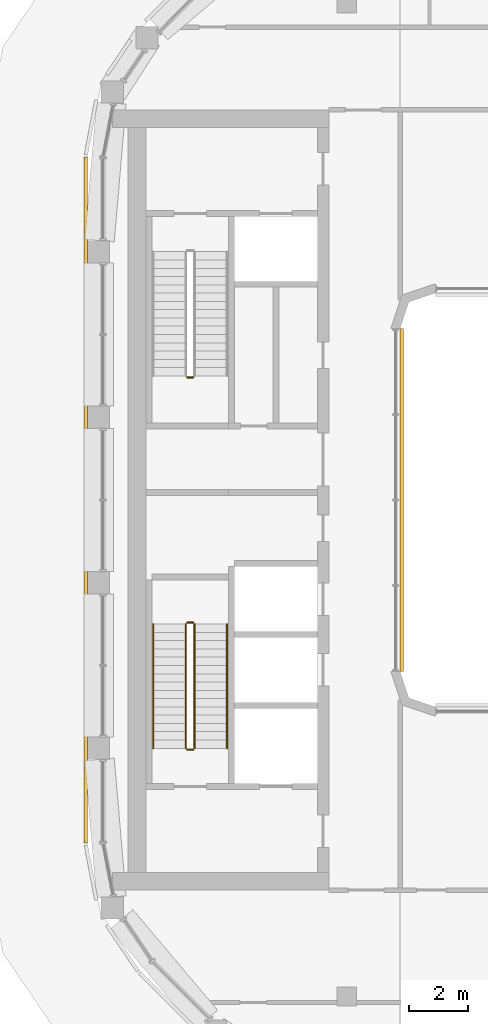
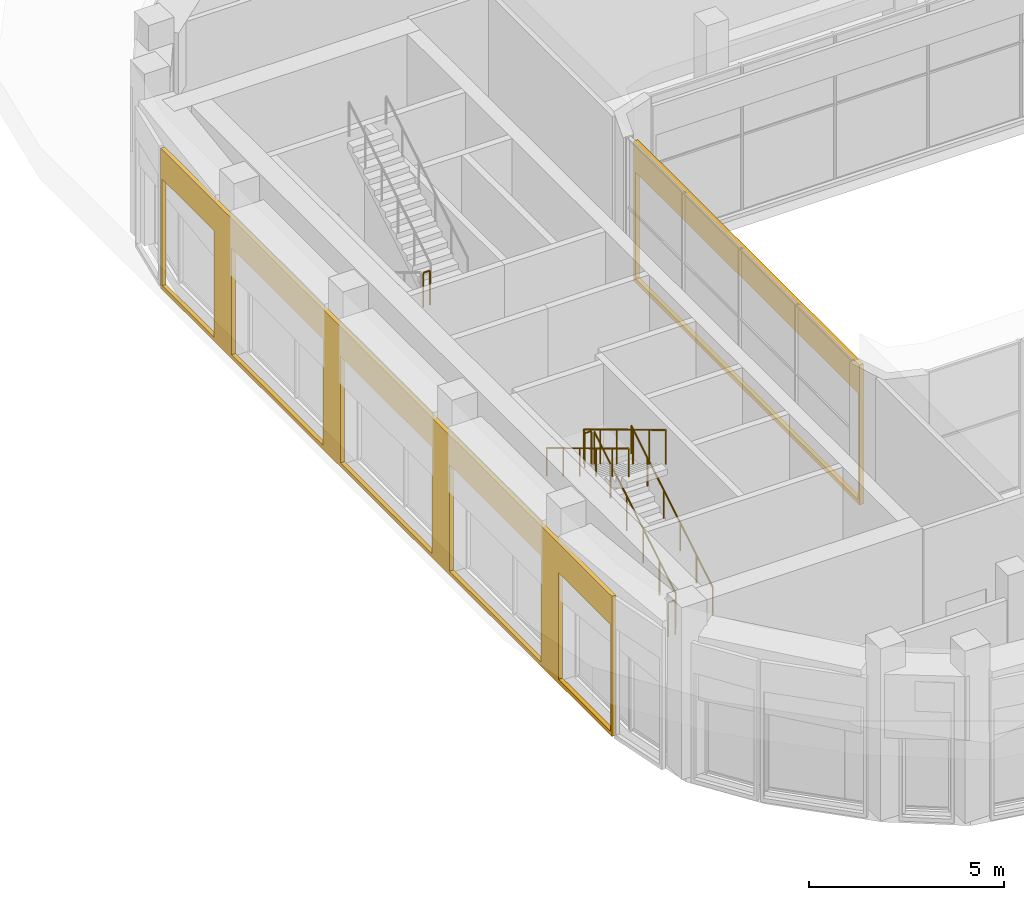
# One storey, part 18 of 23: 7 railings, 2 coverings.
"""IFC4 building model written with IfcOpenShell, lengths in metres."""

from ifc_helpers import new_model, si_unit, direction, frame, origin, origin_2d, place, context, subcontext, project, spatial, polyline, circle, outline, extrude, material, layer, layer_set, type_object, element, save


model = new_model("IFC4")

# Units and contexts
model_context = context("Model", 3, precision=1e-05, world=origin(), true_north=direction((0.0, 1.0)))
body_context = subcontext(model_context, "Body", "Model", "MODEL_VIEW")
ifc_project = project(units=[si_unit("LENGTHUNIT", "METRE"), si_unit("AREAUNIT", "SQUARE_METRE"), si_unit("VOLUMEUNIT", "CUBIC_METRE"), si_unit("PLANEANGLEUNIT", "RADIAN"), si_unit("MASSUNIT", "GRAM", prefix="KILO")], contexts=[model_context])

# Site, building, storey
site_placement = place(None, origin())
site = spatial("IfcSite", under=ifc_project, at=site_placement, CompositionType="ELEMENT")
building_placement = place(site_placement, origin())
building = spatial("IfcBuilding", under=site, at=building_placement, Name="Kiln Ring Residences", CompositionType="ELEMENT")
storey_placement = place(building_placement, frame((0.0, 0.0, 294.5)))
storey = spatial("IfcBuildingStorey", under=building, at=storey_placement, Name="L76", CompositionType="ELEMENT", Elevation=294.5)

# Railings
ifc_material_1 = material(Name="Stainless steel", Category="steel")
railing_type_1 = type_object("IfcRailingType", Name="CORE-STAIR-GUARD", PredefinedType="GUARDRAIL", material=ifc_material_1)
railing_1_placement = place(storey_placement, frame((-22.199951171875, 4.14990234375, 2.699951171875)))
element("IfcRailing", 1, at=railing_1_placement, inside=storey, type_object=railing_type_1, Name="L76 W-STN stair guard 2", PredefinedType="GUARDRAIL", context=body_context, shape_type="SweptSolid", body=[
    extrude(circle(Radius=0.02392578125, at=origin_2d()), frame((0.0, 0.0, 1.076171875), z_axis=(1.0, 0.0, 0.0), x_axis=(0.0, 1.0, 0.0)), (0.0, 0.0, 1.0), 0.199951171875),
    extrude(circle(Radius=0.02099609375, at=origin_2d()), origin(), (0.0, 0.0, 1.0), 1.052001953125),
    extrude(circle(Radius=0.02099609375, at=origin_2d()), frame((0.199951171875, 0.0, 0.0)), (0.0, 0.0, 1.0), 1.052001953125),
])
railing_2_placement = place(storey_placement, frame((-21.949951171875, -8.39990234375, 0.168701171875)))
element("IfcRailing", 2, at=railing_2_placement, inside=storey, type_object=railing_type_1, Name="L76 W-STS stair guard 1", PredefinedType="GUARDRAIL", context=body_context, shape_type="SweptSolid", body=[
    extrude(circle(Radius=0.02392578125, at=origin_2d()), frame((0.0, 0.0, 1.076171875), z_axis=(0.0, 0.856476492594, 0.516186030065), x_axis=(-1.0, 0.0, 0.0)), (0.0, 0.0, 1.0), 4.90380859375),
    extrude(circle(Radius=0.02099609375, at=origin_2d()), origin(), (0.0, 0.0, 1.0), 1.052001953125),
    extrude(circle(Radius=0.02099609375, at=origin_2d()), frame((0.0, 0.840087890625, 0.50634765625)), (0.0, 0.0, 1.0), 1.052001953125),
    extrude(circle(Radius=0.02099609375, at=origin_2d()), frame((0.0, 1.679931640625, 1.012451171875)), (0.0, 0.0, 1.0), 1.052001953125),
    extrude(circle(Radius=0.02099609375, at=origin_2d()), frame((0.0, 2.52001953125, 1.518798828125)), (0.0, 0.0, 1.0), 1.052001953125),
    extrude(circle(Radius=0.02099609375, at=origin_2d()), frame((0.0, 3.35986328125, 2.02490234375)), (0.0, 0.0, 1.0), 1.052001953125),
    extrude(circle(Radius=0.02099609375, at=origin_2d()), frame((0.0, 4.199951171875, 2.53125)), (0.0, 0.0, 1.0), 1.052001953125),
])
railing_3_placement = place(storey_placement, frame((-22.0, -4.14990234375, 2.699951171875)))
element("IfcRailing", 3, at=railing_3_placement, inside=storey, type_object=railing_type_1, Name="L76 W-STS stair guard 2", PredefinedType="GUARDRAIL", context=body_context, shape_type="SweptSolid", body=[
    extrude(circle(Radius=0.02392578125, at=origin_2d()), frame((0.0, 0.0, 1.076171875), z_axis=(-1.0, 0.0, 0.0), x_axis=(0.0, -1.0, 0.0)), (0.0, 0.0, 1.0), 0.199951171875),
    extrude(circle(Radius=0.02099609375, at=origin_2d()), origin(), (0.0, 0.0, 1.0), 1.052001953125),
    extrude(circle(Radius=0.02099609375, at=origin_2d()), frame((-0.199951171875, 0.0, 0.0)), (0.0, 0.0, 1.0), 1.052001953125),
])
railing_4_placement = place(storey_placement, frame((-22.25, -4.199951171875, 2.86865234375)))
element("IfcRailing", 4, at=railing_4_placement, inside=storey, type_object=railing_type_1, Name="L76 W-STS stair guard 3", PredefinedType="GUARDRAIL", context=body_context, shape_type="SweptSolid", body=[
    extrude(circle(Radius=0.02392578125, at=origin_2d()), frame((0.0, 0.0, 1.076171875), z_axis=(0.0, -0.856476492594, 0.516186030065), x_axis=(1.0, 0.0, 0.0)), (0.0, 0.0, 1.0), 4.90380859375),
    extrude(circle(Radius=0.02099609375, at=origin_2d()), origin(), (0.0, 0.0, 1.0), 1.052001953125),
    extrude(circle(Radius=0.02099609375, at=origin_2d()), frame((0.0, -0.840087890625, 0.50634765625)), (0.0, 0.0, 1.0), 1.052001953125),
    extrude(circle(Radius=0.02099609375, at=origin_2d()), frame((0.0, -1.679931640625, 1.012451171875)), (0.0, 0.0, 1.0), 1.052001953125),
    extrude(circle(Radius=0.02099609375, at=origin_2d()), frame((0.0, -2.52001953125, 1.518798828125)), (0.0, 0.0, 1.0), 1.052001953125),
    extrude(circle(Radius=0.02099609375, at=origin_2d()), frame((0.0, -3.35986328125, 2.02490234375)), (0.0, 0.0, 1.0), 1.052001953125),
    extrude(circle(Radius=0.02099609375, at=origin_2d()), frame((0.0, -4.199951171875, 2.53125)), (0.0, 0.0, 1.0), 1.052001953125),
])
railing_5_placement = place(storey_placement, frame((-22.0, -8.449951171875, 0.0)))
element("IfcRailing", 5, at=railing_5_placement, inside=storey, type_object=railing_type_1, Name="L76 W-STS stair guard 4", PredefinedType="GUARDRAIL", context=body_context, shape_type="SweptSolid", body=[
    extrude(circle(Radius=0.02392578125, at=origin_2d()), frame((0.0, 0.0, 1.076171875), z_axis=(-1.0, 0.0, 0.0), x_axis=(0.0, -1.0, 0.0)), (0.0, 0.0, 1.0), 0.199951171875),
    extrude(circle(Radius=0.02099609375, at=origin_2d()), origin(), (0.0, 0.0, 1.0), 1.052001953125),
    extrude(circle(Radius=0.02099609375, at=origin_2d()), frame((-0.199951171875, 0.0, 0.0)), (0.0, 0.0, 1.0), 1.052001953125),
])
ifc_material_2 = material(Name="Stainless steel", Category="steel")
railing_type_2 = type_object("IfcRailingType", Name="CORE-STAIR-HANDRAIL", PredefinedType="HANDRAIL", material=ifc_material_2)
railing_6_placement = place(storey_placement, frame((-20.85009765625, -8.39990234375, 0.168701171875)))
element("IfcRailing", 6, at=railing_6_placement, inside=storey, type_object=railing_type_2, Name="L76 W-STS stair handrail 1", PredefinedType="HANDRAIL", context=body_context, shape_type="SweptSolid", body=[
    extrude(circle(Radius=0.02392578125, at=origin_2d()), frame((0.0, 0.0, 0.8759765625), z_axis=(0.0, 0.856476492594, 0.516186030065), x_axis=(-1.0, 0.0, 0.0)), (0.0, 0.0, 1.0), 4.90380859375),
    extrude(circle(Radius=0.02099609375, at=origin_2d()), origin(), (0.0, 0.0, 1.0), 0.851806640625),
    extrude(circle(Radius=0.02099609375, at=origin_2d()), frame((0.0, 0.840087890625, 0.50634765625)), (0.0, 0.0, 1.0), 0.851806640625),
    extrude(circle(Radius=0.02099609375, at=origin_2d()), frame((0.0, 1.679931640625, 1.012451171875)), (0.0, 0.0, 1.0), 0.851806640625),
    extrude(circle(Radius=0.02099609375, at=origin_2d()), frame((0.0, 2.52001953125, 1.518798828125)), (0.0, 0.0, 1.0), 0.851806640625),
    extrude(circle(Radius=0.02099609375, at=origin_2d()), frame((0.0, 3.35986328125, 2.02490234375)), (0.0, 0.0, 1.0), 0.851806640625),
    extrude(circle(Radius=0.02099609375, at=origin_2d()), frame((0.0, 4.199951171875, 2.53125)), (0.0, 0.0, 1.0), 0.851806640625),
])
railing_7_placement = place(storey_placement, frame((-23.35009765625, -4.199951171875, 2.86865234375)))
element("IfcRailing", 7, at=railing_7_placement, inside=storey, type_object=railing_type_2, Name="L76 W-STS stair handrail 2", PredefinedType="HANDRAIL", context=body_context, shape_type="SweptSolid", body=[
    extrude(circle(Radius=0.02392578125, at=origin_2d()), frame((0.0, 0.0, 0.8759765625), z_axis=(0.0, -0.856476492594, 0.516186030065), x_axis=(1.0, 0.0, 0.0)), (0.0, 0.0, 1.0), 4.90380859375),
    extrude(circle(Radius=0.02099609375, at=origin_2d()), origin(), (0.0, 0.0, 1.0), 0.851806640625),
    extrude(circle(Radius=0.02099609375, at=origin_2d()), frame((0.0, -0.840087890625, 0.50634765625)), (0.0, 0.0, 1.0), 0.851806640625),
    extrude(circle(Radius=0.02099609375, at=origin_2d()), frame((0.0, -1.679931640625, 1.012451171875)), (0.0, 0.0, 1.0), 0.851806640625),
    extrude(circle(Radius=0.02099609375, at=origin_2d()), frame((0.0, -2.52001953125, 1.518798828125)), (0.0, 0.0, 1.0), 0.851806640625),
    extrude(circle(Radius=0.02099609375, at=origin_2d()), frame((0.0, -3.35986328125, 2.02490234375)), (0.0, 0.0, 1.0), 0.851806640625),
    extrude(circle(Radius=0.02099609375, at=origin_2d()), frame((0.0, -4.199951171875, 2.53125)), (0.0, 0.0, 1.0), 0.851806640625),
])

# Coverings
ifc_material_3 = material(Name="Brick masonry, dark clay brick", Category="masonry")
ifc_layer = layer(ifc_material_3, 0.1201171875)
ifc_layer_set = layer_set([ifc_layer], Name="RAINSCREEN PANEL 120")
covering_type = type_object("IfcCoveringType", Name="RAINSCREEN PANEL 120", PredefinedType="CLADDING", material=ifc_layer_set)
covering_1_placement = place(storey_placement, frame((-25.635009765625, 11.60009765625, 0.0), z_axis=(0.0, 0.0, 1.0), x_axis=(0.0, -1.0, 0.0)))
element("IfcCovering", 8, at=covering_1_placement, inside=storey, type_object=covering_type, Name="RAINSCREEN L76", PredefinedType="CLADDING", context=body_context, shape_type="SweptSolid", body=[
    extrude(outline(polyline([(0.0, 0.0), (23.199951171875, 0.0), (23.199951171875, 4.39990234375), (0.0, 4.39990234375), (0.0, 0.0)]), holes=[polyline([(2.7451171875, 0.1298828125), (2.7451171875, 3.469970703125), (0.080078125, 3.469970703125), (0.080078125, 0.1298828125), (2.7451171875, 0.1298828125)]), polyline([(8.344970703125, 0.1298828125), (8.344970703125, 3.469970703125), (3.655029296875, 3.469970703125), (3.655029296875, 0.1298828125), (8.344970703125, 0.1298828125)]), polyline([(13.945068359375, 0.1298828125), (13.945068359375, 3.469970703125), (9.2548828125, 3.469970703125), (9.2548828125, 0.1298828125), (13.945068359375, 0.1298828125)]), polyline([(14.85498046875, 0.1298828125), (19.544921875, 0.1298828125), (19.544921875, 3.469970703125), (14.85498046875, 3.469970703125), (14.85498046875, 0.1298828125)]), polyline([(20.455078125, 0.1298828125), (23.1201171875, 0.1298828125), (23.1201171875, 3.469970703125), (20.455078125, 3.469970703125), (20.455078125, 0.1298828125)])]), frame((0.0, 0.06005859375, 0.0), z_axis=(0.0, -1.0, 0.0), x_axis=(1.0, 0.0, 0.0)), (0.0, 0.0, 1.0), 0.1201171875),
])
covering_2_placement = place(storey_placement, frame((-14.93994140625, -5.800048828125, 0.0), z_axis=(0.0, 0.0, 1.0), x_axis=(0.0, 1.0, 0.0)))
element("IfcCovering", 9, at=covering_2_placement, inside=storey, type_object=covering_type, Name="RAINSCREEN L76", PredefinedType="CLADDING", context=body_context, shape_type="SweptSolid", body=[
    extrude(outline(polyline([(0.0, 0.0), (11.60009765625, 0.0), (11.60009765625, 4.39990234375), (0.0, 4.39990234375), (0.0, 0.0)]), holes=[polyline([(0.080078125, 3.469970703125), (0.080078125, 0.1298828125), (11.52001953125, 0.1298828125), (11.52001953125, 3.469970703125), (0.080078125, 3.469970703125)])]), frame((0.0, 0.06005859375, 0.0), z_axis=(0.0, -1.0, 0.0), x_axis=(1.0, 0.0, 0.0)), (0.0, 0.0, 1.0), 0.1201171875),
])

save(model, "model.ifc")
